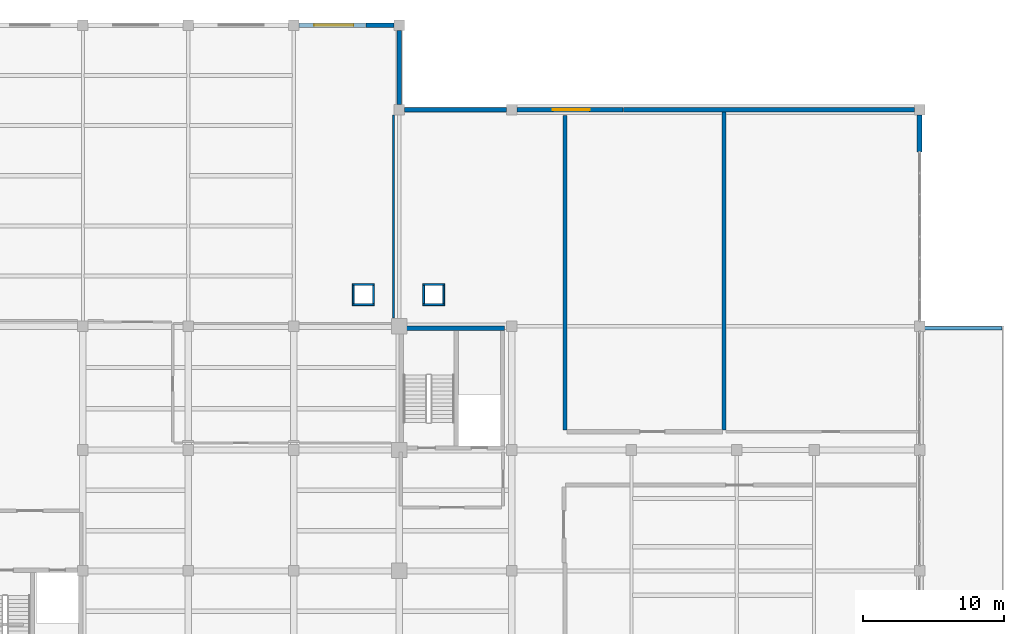
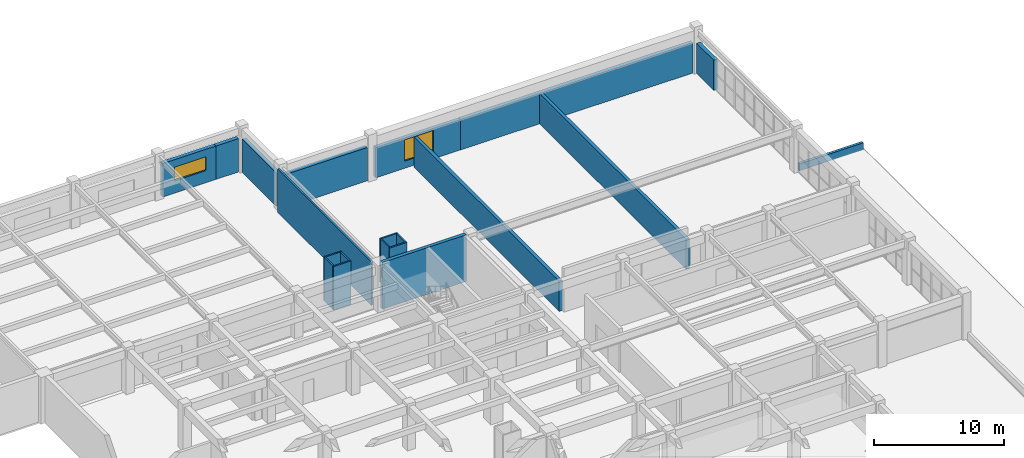
# One storey, part 78 of 90: 20 walls, 2 windows, 2 openings.
"""IFC4 building model written with IfcOpenShell, lengths in metres."""

from ifc_helpers import new_model, si_unit, direction, frame, frame_2d, origin, place, context, subcontext, project, spatial, rectangle, extrude, material, layer, layer_set, type_object, element, fill, save


model = new_model("IFC4")

# Units and contexts
model_context = context("Model", 3, precision=1e-05, world=origin(), true_north=direction((0.0, 1.0)))
body_context = subcontext(model_context, "Body", "Model", "MODEL_VIEW")
ifc_project = project(units=[si_unit("LENGTHUNIT", "METRE"), si_unit("AREAUNIT", "SQUARE_METRE"), si_unit("VOLUMEUNIT", "CUBIC_METRE"), si_unit("PLANEANGLEUNIT", "RADIAN"), si_unit("MASSUNIT", "GRAM", prefix="KILO")], contexts=[model_context])

# Site, building, storey
site_placement = place(None, origin())
site = spatial("IfcSite", under=ifc_project, at=site_placement, CompositionType="ELEMENT")
building_placement = place(site_placement, origin())
building = spatial("IfcBuilding", under=site, at=building_placement, Name="Muzn Square Opera House", CompositionType="ELEMENT")
storey_placement = place(building_placement, frame((0.0, 0.0, 9.800048828125)))
storey = spatial("IfcBuildingStorey", under=building, at=storey_placement, Name="L02", CompositionType="ELEMENT", Elevation=9.800048828125)

# Wall
ifc_material_1 = material(Name="Concrete C45/55", Category="concrete")
ifc_layer_1 = layer(ifc_material_1, 0.300048828125, Name="Concrete C45/55", Category="concrete")
ifc_layer_set_1 = layer_set([ifc_layer_1], Name="Concrete C45/55")
wall_type_1 = type_object("IfcWallType", Name="Core Shear Wall 300mm", PredefinedType="SHEAR", material=ifc_layer_set_1)
wall_1_placement = place(storey_placement, frame((133.0, 98.449951171875, 0.0), z_axis=(0.0, 0.0, 1.0), x_axis=(1.0, 0.0, 0.0)))
element("IfcWall", 1, at=wall_1_placement, inside=storey, type_object=wall_type_1, Name="Core C5 Shear Wall SW-C5-L02-N", PredefinedType="SHEAR", context=body_context, shape_type="SweptSolid", body=[
    extrude(rectangle(XDim=7.5, YDim=0.300048828125, at=frame_2d((3.75, 0.0))), origin(), (0.0, 0.0, 1.0), 4.39990234375),
])

# Wall, opening, window
ifc_material_2 = material(Name="Concrete C40/50", Category="concrete")
ifc_layer_2 = layer(ifc_material_2, 0.31005859375, Name="Concrete C40/50", Category="concrete")
ifc_layer_set_2 = layer_set([ifc_layer_2], Name="Concrete C40/50")
wall_type_2 = type_object("IfcWallType", Name="Exterior Gallery Facade Wall 310mm", PredefinedType="SOLIDWALL", material=ifc_layer_set_2)
wall_2_placement = place(storey_placement, frame((141.375, 114.0, 0.0), z_axis=(0.0, 0.0, 1.0), x_axis=(1.0, 0.0, 0.0)))
wall_2 = element("IfcWall", 2, at=wall_2_placement, inside=storey, type_object=wall_type_2, Name="Exterior Facade Wall EW-L02-093", PredefinedType="SOLIDWALL", context=body_context, shape_type="SweptSolid", body=[
    extrude(rectangle(XDim=7.544921875, YDim=0.31005859375, at=frame_2d((3.7724609375, 0.0))), origin(), (0.0, 0.0, 1.0), 2.85986328125),
])
opening_1_placement = place(wall_2_placement, frame((2.554931640625, 0.0, 0.679931640625)))
opening_1 = element("IfcOpeningElement", 3, at=opening_1_placement, cuts=wall_2, Name="Opening WN-R2620", PredefinedType="OPENING", context=body_context, shape_type="SweptSolid", body=[
    extrude(rectangle(XDim=2.60009765625, YDim=2.0, at=frame_2d((1.300048828125, 1.0))), frame((0.0, 0.1650390625, 0.0), z_axis=(0.0, -1.0, 0.0), x_axis=(1.0, 0.0, 0.0)), (0.0, 0.0, 1.0), 0.330078125),
])
ifc_material_3 = material(Name="Low-E laminated acoustic double glazing", Category="glass")
window_type_1 = type_object("IfcWindowType", Name="Ballet Studio Window 2600x2000", PartitioningType="DOUBLE_PANEL_VERTICAL", PredefinedType="WINDOW", material=ifc_material_3)
window_1_placement = place(opening_1_placement, origin())
window_1 = element("IfcWindow", 4, at=window_1_placement, inside=storey, type_object=window_type_1, Name="Ballet Studio Window 2600x2000 EW-L02-093-WN01", OverallHeight=2.0, OverallWidth=2.60009765625, PartitioningType="SINGLE_PANEL", PredefinedType="WINDOW", context=body_context, shape_type="SweptSolid", body=[
    extrude(rectangle(XDim=2.60009765625, YDim=2.0, at=frame_2d((1.300048828125, 1.0))), frame((0.0, 0.030029296875, 0.0), z_axis=(0.0, -1.0, 0.0), x_axis=(1.0, 0.0, 0.0)), (0.0, 0.0, 1.0), 0.06005859375),
])
fill(opening_1, window_1)

ifc_layer_3 = layer(ifc_material_2, 0.340087890625, Name="Concrete C40/50", Category="concrete")
ifc_layer_set_3 = layer_set([ifc_layer_3], Name="Concrete C40/50")
wall_type_3 = type_object("IfcWallType", Name="Exterior Insulated Spandrel Wall 340mm", PredefinedType="SOLIDWALL", material=ifc_layer_set_3)
wall_3_placement = place(storey_placement, frame((125.875, 120.0, 0.0), z_axis=(0.0, 0.0, 1.0), x_axis=(1.0, 0.0, 0.0)))
wall_3 = element("IfcWall", 5, at=wall_3_placement, inside=storey, type_object=wall_type_3, Name="Exterior Facade Wall EW-L02-070", PredefinedType="SOLIDWALL", context=body_context, shape_type="SweptSolid", body=[
    extrude(rectangle(XDim=4.72509765625, YDim=0.340087890625, at=frame_2d((2.362548828125, 0.0))), origin(), (0.0, 0.0, 1.0), 3.14990234375),
])
opening_2_placement = place(wall_3_placement, frame((1.06494140625, 0.0, 1.14990234375)))
opening_2 = element("IfcOpeningElement", 6, at=opening_2_placement, cuts=wall_3, Name="Opening WN-S2813", PredefinedType="OPENING", context=body_context, shape_type="SweptSolid", body=[
    extrude(rectangle(XDim=2.800048828125, YDim=1.300048828125, at=frame_2d((1.39990234375, 0.64990234375))), frame((0.0, 0.179931640625, 0.0), z_axis=(0.0, -1.0, 0.0), x_axis=(1.0, 0.0, 0.0)), (0.0, 0.0, 1.0), 0.360107421875),
])
window_type_2 = type_object("IfcWindowType", Name="Scenery Clerestory Window 2800x1300", PartitioningType="DOUBLE_PANEL_HORIZONTAL", PredefinedType="WINDOW", material=ifc_material_3)
window_2_placement = place(opening_2_placement, origin())
window_2 = element("IfcWindow", 7, at=window_2_placement, inside=storey, type_object=window_type_2, Name="Scenery Clerestory Window 2800x1300 EW-L02-070-WN01", OverallHeight=1.300048828125, OverallWidth=2.800048828125, PartitioningType="SINGLE_PANEL", PredefinedType="WINDOW", context=body_context, shape_type="SweptSolid", body=[
    extrude(rectangle(XDim=2.800048828125, YDim=1.300048828125, at=frame_2d((1.39990234375, 0.64990234375))), frame((0.0, 0.030029296875, 0.0), z_axis=(0.0, -1.0, 0.0), x_axis=(1.0, 0.0, 0.0)), (0.0, 0.0, 1.0), 0.06005859375),
])
fill(opening_2, window_2)

# Walls
wall_4_placement = place(storey_placement, frame((133.0, 114.375, 0.0), z_axis=(0.0, 0.0, 1.0), x_axis=(0.0, 1.0, 0.0)))
element("IfcWall", 8, at=wall_4_placement, inside=storey, type_object=wall_type_3, Name="Exterior Facade Wall EW-L02-189", PredefinedType="SOLIDWALL", context=body_context, shape_type="SweptSolid", body=[
    extrude(rectangle(XDim=5.25, YDim=0.340087890625, at=frame_2d((2.625, 0.0))), origin(), (0.0, 0.0, 1.0), 3.14990234375),
])
wall_5_placement = place(storey_placement, frame((133.375, 114.0, 0.0), z_axis=(0.0, 0.0, 1.0), x_axis=(1.0, 0.0, 0.0)))
element("IfcWall", 9, at=wall_5_placement, inside=storey, type_object=wall_type_3, Name="Exterior Facade Wall EW-L02-190", PredefinedType="SOLIDWALL", context=body_context, shape_type="SweptSolid", body=[
    extrude(rectangle(XDim=7.25, YDim=0.340087890625, at=frame_2d((3.625, 0.0))), origin(), (0.0, 0.0, 1.0), 3.14990234375),
])
wall_6_placement = place(storey_placement, frame((170.0, 111.0, 0.0), z_axis=(0.0, 0.0, 1.0), x_axis=(0.0, 1.0, 0.0)))
element("IfcWall", 10, at=wall_6_placement, inside=storey, type_object=wall_type_3, Name="Exterior Facade Wall EW-L02-192", PredefinedType="SOLIDWALL", context=body_context, shape_type="SweptSolid", body=[
    extrude(rectangle(XDim=2.625, YDim=0.340087890625, at=frame_2d((1.3125, 0.0))), origin(), (0.0, 0.0, 1.0), 2.85986328125),
])
wall_7_placement = place(storey_placement, frame((148.93994140625, 114.0, 0.0), z_axis=(0.0, 0.0, 1.0), x_axis=(1.0, 0.0, 0.0)))
element("IfcWall", 11, at=wall_7_placement, inside=storey, type_object=wall_type_3, Name="Exterior Facade Wall EW-L02-191", PredefinedType="SOLIDWALL", context=body_context, shape_type="SweptSolid", body=[
    extrude(rectangle(XDim=20.68505859375, YDim=0.340087890625, at=frame_2d((10.342529296875, 0.0))), origin(), (0.0, 0.0, 1.0), 2.85986328125),
])
wall_8_placement = place(storey_placement, frame((130.6201171875, 120.0, 0.0), z_axis=(0.0, 0.0, 1.0), x_axis=(1.0, 0.0, 0.0)))
element("IfcWall", 12, at=wall_8_placement, inside=storey, type_object=wall_type_3, Name="Exterior Facade Wall EW-L02-188", PredefinedType="SOLIDWALL", context=body_context, shape_type="SweptSolid", body=[
    extrude(rectangle(XDim=2.0048828125, YDim=0.340087890625, at=frame_2d((1.00244140625, 0.0))), origin(), (0.0, 0.0, 1.0), 3.14990234375),
])
ifc_material_4 = material(Name="Acoustic gypsum stud partition", Category="gypsum")
ifc_layer_4 = layer(ifc_material_4, 0.2900390625, Name="Acoustic gypsum stud partition", Category="gypsum")
ifc_layer_set_4 = layer_set([ifc_layer_4], Name="Acoustic gypsum stud partition")
wall_type_4 = type_object("IfcWallType", Name="Rehearsal Sound Wall 290mm", PredefinedType="PARTITIONING", material=ifc_layer_set_4)
wall_9_placement = place(storey_placement, frame((156.10009765625, 91.22998046875, 0.0), z_axis=(0.0, 0.0, 1.0), x_axis=(0.0, 1.0, 0.0)))
element("IfcWall", 13, at=wall_9_placement, inside=storey, type_object=wall_type_4, Name="Interior Partition PW-L02-0268", PredefinedType="PARTITIONING", context=body_context, shape_type="SweptSolid", body=[
    extrude(rectangle(XDim=22.594970703125, YDim=0.2900390625, at=frame_2d((11.29736328125, 0.0))), origin(), (0.0, 0.0, 1.0), 2.85986328125),
])
wall_10_placement = place(storey_placement, frame((144.800048828125, 91.22998046875, 0.0), z_axis=(0.0, 0.0, 1.0), x_axis=(0.0, 1.0, 0.0)))
element("IfcWall", 14, at=wall_10_placement, inside=storey, type_object=wall_type_4, Name="Room Enclosure Partition PW-L02-0323", PredefinedType="PARTITIONING", context=body_context, shape_type="SweptSolid", body=[
    extrude(rectangle(XDim=22.3701171875, YDim=0.2900390625, at=frame_2d((11.18505859375, 0.0))), origin(), (0.0, 0.0, 1.0), 2.85986328125),
])
ifc_material_5 = material(Name="Precast concrete C40/50", Category="concrete")
ifc_layer_5 = layer(ifc_material_5, 0.239990234375, Name="Precast concrete C40/50", Category="concrete")
ifc_layer_set_5 = layer_set([ifc_layer_5], Name="Precast concrete C40/50")
wall_type_5 = type_object("IfcWallType", Name="Roof Parapet Wall 240mm", PredefinedType="PARAPET", material=ifc_layer_set_5)
wall_11_placement = place(storey_placement, frame((170.14990234375, 98.449951171875, 0.0), z_axis=(0.0, 0.0, 1.0), x_axis=(1.0, 0.0, 0.0)))
element("IfcWall", 15, at=wall_11_placement, inside=storey, type_object=wall_type_5, Name="Roof Parapet ROOF-L02-COL-EB-N", PredefinedType="PARAPET", context=body_context, shape_type="SweptSolid", body=[
    extrude(rectangle(XDim=5.7001953125, YDim=0.239990234375, at=frame_2d((2.85009765625, 0.0))), origin(), (0.0, 0.0, 1.0), 0.64990234375),
])
ifc_layer_6 = layer(ifc_material_4, 0.1298828125, Name="Acoustic gypsum stud partition", Category="gypsum")
ifc_layer_set_6 = layer_set([ifc_layer_6], Name="Acoustic gypsum stud partition")
wall_type_6 = type_object("IfcWallType", Name="Service Closet Partition 130mm", PredefinedType="PARTITIONING", material=ifc_layer_set_6)
for number, where, z_axis, x_axis, name in (
    (16, (129.669921875, 100.135009765625, 0.0), (0.0, 0.0, 1.0), (1.0, 0.0, 0.0), "MEP Riser Shaft Wall RSR-RR L02-S"),
    (17, (129.669921875, 101.56494140625, 0.0), (0.0, 0.0, 1.0), (1.0, 0.0, 0.0), "MEP Riser Shaft Wall RSR-RR L02-N"),
):
    element("IfcWall", number, at=place(storey_placement, frame(where, z_axis=z_axis, x_axis=x_axis)), inside=storey, type_object=wall_type_6, Name=name, PredefinedType="PARTITIONING", context=body_context, shape_type="SweptSolid", body=[
        extrude(rectangle(XDim=1.56005859375, YDim=0.1298828125, at=frame_2d((0.780029296875, 0.0))), origin(), (0.0, 0.0, 1.0), 4.099853515625),
    ])
for number, where, z_axis, x_axis, name in (
    (18, (129.735107421875, 100.199951171875, 0.0), (0.0, 0.0, 1.0), (0.0, 1.0, 0.0), "MEP Riser Shaft Wall RSR-RR L02-W"),
    (19, (131.1650390625, 100.199951171875, 0.0), (0.0, 0.0, 1.0), (0.0, 1.0, 0.0), "MEP Riser Shaft Wall RSR-RR L02-E"),
):
    element("IfcWall", number, at=place(storey_placement, frame(where, z_axis=z_axis, x_axis=x_axis)), inside=storey, type_object=wall_type_6, Name=name, PredefinedType="PARTITIONING", context=body_context, shape_type="SweptSolid", body=[
        extrude(rectangle(XDim=1.300048828125, YDim=0.1298828125, at=frame_2d((0.64990234375, 0.0))), origin(), (0.0, 0.0, 1.0), 4.099853515625),
    ])
for number, where, z_axis, x_axis, name in (
    (20, (134.669921875, 100.135009765625, 0.0), (0.0, 0.0, 1.0), (1.0, 0.0, 0.0), "MEP Riser Shaft Wall RSR-RP L02-S"),
    (21, (134.669921875, 101.56494140625, 0.0), (0.0, 0.0, 1.0), (1.0, 0.0, 0.0), "MEP Riser Shaft Wall RSR-RP L02-N"),
):
    element("IfcWall", number, at=place(storey_placement, frame(where, z_axis=z_axis, x_axis=x_axis)), inside=storey, type_object=wall_type_6, Name=name, PredefinedType="PARTITIONING", context=body_context, shape_type="SweptSolid", body=[
        extrude(rectangle(XDim=1.56005859375, YDim=0.1298828125, at=frame_2d((0.780029296875, 0.0))), origin(), (0.0, 0.0, 1.0), 4.099853515625),
    ])
for number, where, z_axis, x_axis, name in (
    (22, (134.735107421875, 100.199951171875, 0.0), (0.0, 0.0, 1.0), (0.0, 1.0, 0.0), "MEP Riser Shaft Wall RSR-RP L02-W"),
    (23, (136.1650390625, 100.199951171875, 0.0), (0.0, 0.0, 1.0), (0.0, 1.0, 0.0), "MEP Riser Shaft Wall RSR-RP L02-E"),
):
    element("IfcWall", number, at=place(storey_placement, frame(where, z_axis=z_axis, x_axis=x_axis)), inside=storey, type_object=wall_type_6, Name=name, PredefinedType="PARTITIONING", context=body_context, shape_type="SweptSolid", body=[
        extrude(rectangle(XDim=1.300048828125, YDim=0.1298828125, at=frame_2d((0.64990234375, 0.0))), origin(), (0.0, 0.0, 1.0), 4.099853515625),
    ])
ifc_layer_7 = layer(ifc_material_4, 0.159912109375, Name="Acoustic gypsum stud partition", Category="gypsum")
ifc_layer_set_7 = layer_set([ifc_layer_7], Name="Acoustic gypsum stud partition")
wall_type_7 = type_object("IfcWallType", Name="Workshop Rated Partition 160mm", PredefinedType="PARTITIONING", material=ifc_layer_set_7)
wall_12_placement = place(storey_placement, frame((132.60009765625, 99.169921875, 0.0), z_axis=(0.0, 0.0, 1.0), x_axis=(0.0, 1.0, 0.0)))
element("IfcWall", 24, at=wall_12_placement, inside=storey, type_object=wall_type_7, Name="Room Enclosure Partition PW-L02-0336", PredefinedType="PARTITIONING", context=body_context, shape_type="SweptSolid", body=[
    extrude(rectangle(XDim=14.4501953125, YDim=0.159912109375, at=frame_2d((7.22509765625, 0.0))), origin(), (0.0, 0.0, 1.0), 4.099853515625),
])

save(model, "model.ifc")
